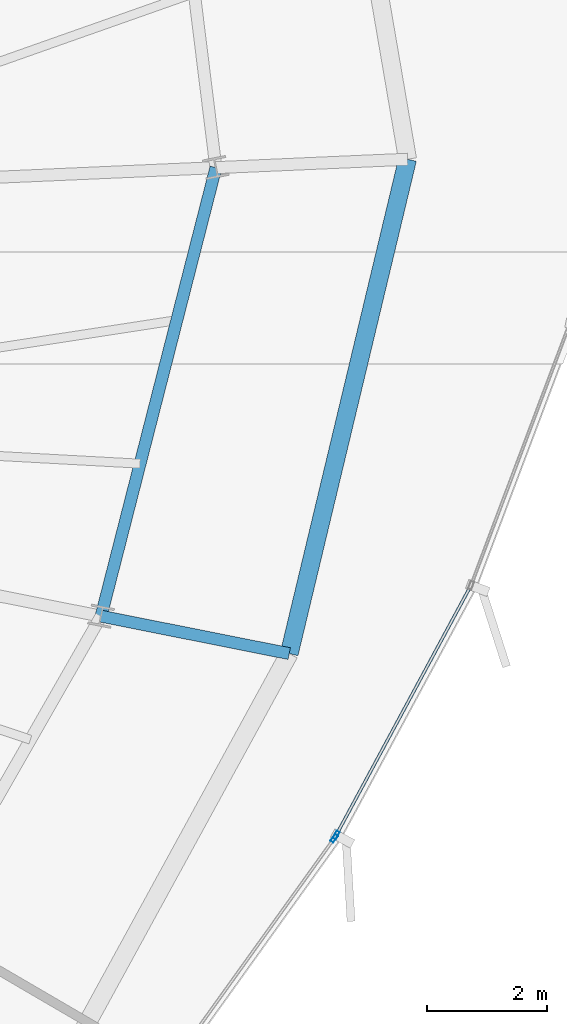
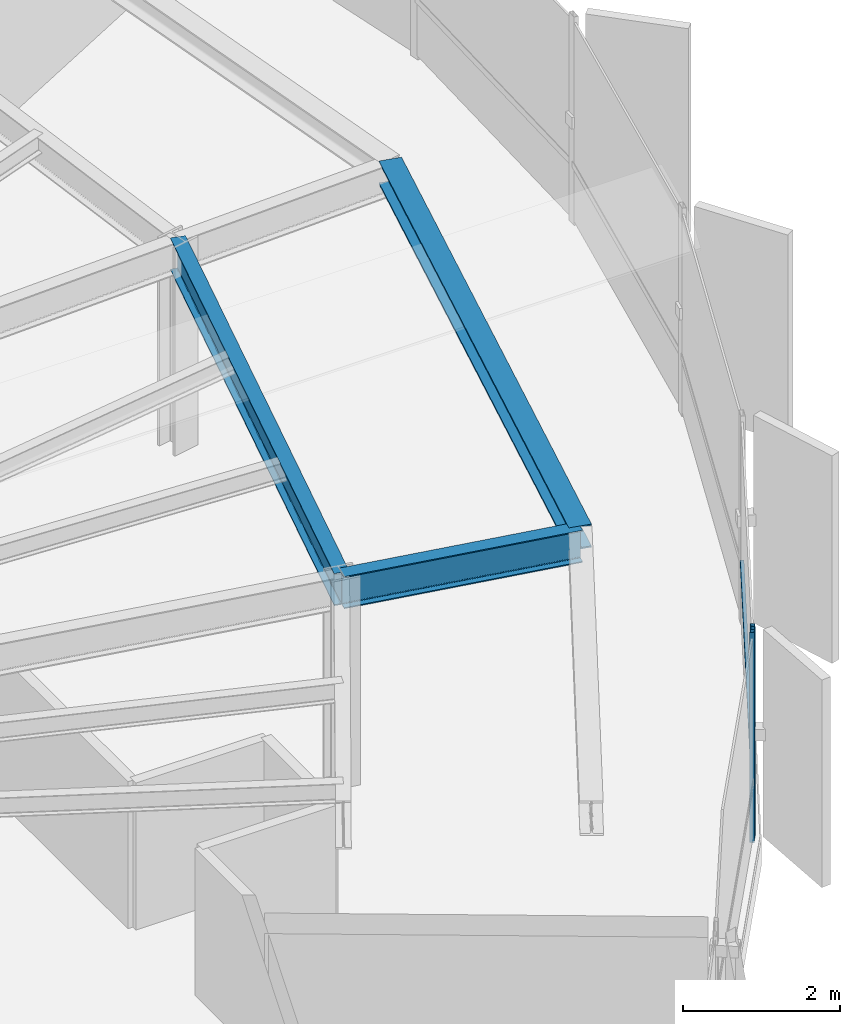
# One storey, part 17 of 36: 3 beams, 3 members, 2 elements without a shape of their own.
"""IFC4 building model written with IfcOpenShell, lengths in metres."""

from ifc_helpers import new_model, si_unit, direction, frame, origin, origin_2d, place, context, subcontext, project, spatial, hollow_rectangle, i_section, extrude, source, transform, mapped, material, layer, layer_set, material_profile, profile_set, type_object, element, aggregate, save


model = new_model("IFC4")

# Units and contexts
model_context = context("Model", 3, precision=1e-05, world=origin(), true_north=direction((0.0, 1.0)))
body_context = subcontext(model_context, "Body", "Model", "MODEL_VIEW")
ifc_project = project(units=[si_unit("LENGTHUNIT", "METRE"), si_unit("AREAUNIT", "SQUARE_METRE"), si_unit("VOLUMEUNIT", "CUBIC_METRE"), si_unit("PLANEANGLEUNIT", "RADIAN"), si_unit("MASSUNIT", "GRAM", prefix="KILO"), si_unit("THERMODYNAMICTEMPERATUREUNIT", "KELVIN")], contexts=[model_context])

# Site, building, storey
site_placement = place(None, origin())
site = spatial("IfcSite", under=ifc_project, at=site_placement, CompositionType="ELEMENT")
building_placement = place(site_placement, origin())
building = spatial("IfcBuilding", under=site, at=building_placement, Name="Kethvar Cultural Tower", CompositionType="ELEMENT")
storey_placement = place(building_placement, frame((0.0, 0.0, 176.39990234375)))
storey = spatial("IfcBuildingStorey", under=building, at=storey_placement, Name="L45", CompositionType="ELEMENT", Elevation=176.39990234375)

# Beams
ifc_material_1 = material(Name="Steel S355J2", Category="steel")
ifc_material_profile_1 = material_profile(ifc_material_1, i_section(OverallWidth=0.199951171875, OverallDepth=0.5, WebThickness=0.01025390625, FlangeThickness=0.01611328125, FilletRadius=0.02099609375, at=origin_2d()), Name="Steel S355J2 — IPE500")
ifc_profile_set_1 = profile_set([ifc_material_profile_1], Name="Steel S355J2 — IPE500")
beam_type_1 = type_object("IfcBeamType", Name="BM-IPE500", PredefinedType="BEAM", material=ifc_profile_set_1)
shared_shape_1 = source(origin(), body_context, "Body", "SweptSolid", [
    extrude(i_section(OverallWidth=0.199951171875, OverallDepth=0.5, WebThickness=0.01025390625, FlangeThickness=0.01611328125, FilletRadius=0.02099609375, at=origin_2d()), origin(), (0.0, 0.0, 1.0), 3.199951171875),
])
beam_1_placement = place(storey_placement, frame((64.648681640625, 24.249755859375, 3.008056640625), z_axis=(0.980785550224, -0.195088965533, 0.0), x_axis=(0.195088965533, 0.980785550224, 0.0)))
element("IfcBeam", 1, at=beam_1_placement, inside=storey, type_object=beam_type_1, Name="L45 Perimeter Cantilever Beam RC-16", PredefinedType="BEAM", context=body_context, shape_type="MappedRepresentation", body=[
    mapped(shared_shape_1, transform((0.0, 0.0, 0.0), scale=1.0)),
])
shared_shape_2 = source(origin(), body_context, "Body", "SweptSolid", [
    extrude(i_section(OverallWidth=0.199951171875, OverallDepth=0.5, WebThickness=0.01025390625, FlangeThickness=0.01611328125, FilletRadius=0.02099609375, at=origin_2d()), origin(), (0.0, 0.0, 1.0), 7.72265625),
])
beam_2_placement = place(storey_placement, frame((64.648681640625, 24.249755859375, 3.008056640625), z_axis=(0.248006445258, 0.968758382214, 0.0), x_axis=(-0.968758382214, 0.248006445258, 0.0)))
element("IfcBeam", 2, at=beam_2_placement, inside=storey, type_object=beam_type_1, Name="L45 Column Ring Tie Beam CR-16", PredefinedType="BEAM", context=body_context, shape_type="MappedRepresentation", body=[
    mapped(shared_shape_2, transform((0.0, 0.0, 0.0), scale=1.0)),
])
ifc_material_profile_2 = material_profile(ifc_material_1, i_section(OverallWidth=0.300048828125, OverallDepth=0.360107421875, WebThickness=0.012451171875, FlangeThickness=0.0224609375, FilletRadius=0.027099609375, at=origin_2d()), Name="Steel S355J2 — HEB360")
ifc_profile_set_2 = profile_set([ifc_material_profile_2], Name="Steel S355J2 — HEB360")
beam_type_2 = type_object("IfcBeamType", Name="BM-SP360", PredefinedType="SPANDREL", material=ifc_profile_set_2)
shared_shape_3 = source(origin(), body_context, "Body", "SweptSolid", [
    extrude(i_section(OverallWidth=0.300048828125, OverallDepth=0.360107421875, WebThickness=0.012451171875, FlangeThickness=0.0224609375, FilletRadius=0.027099609375, at=origin_2d()), origin(), (0.0, 0.0, 1.0), 8.47900390625),
])
beam_3_placement = place(storey_placement, frame((67.787109375, 23.62548828125, 3.078125), z_axis=(0.232794647368, 0.97252591336, 0.0), x_axis=(-0.97252591336, 0.232794647368, 0.0)))
element("IfcBeam", 3, at=beam_3_placement, inside=storey, type_object=beam_type_2, Name="L45 Perimeter Spandrel Beam SP-16", PredefinedType="SPANDREL", context=body_context, shape_type="MappedRepresentation", body=[
    mapped(shared_shape_3, transform((0.0, 0.0, 0.0), scale=1.0)),
])

# Curtain wall, member
ifc_material_2 = material(Name="Aluminium 6063-T6", Category="aluminium")
ifc_layer = layer(ifc_material_2, 0.179931640625, Name="Aluminium 6063-T6", Category="aluminium")
ifc_layer_set = layer_set([ifc_layer], Name="Aluminium 6063-T6 (180 mm)")
curtain_wall_type = type_object("IfcCurtainWallType", Name="CW-SYS-04-Z34", PredefinedType="NOTDEFINED", material=ifc_layer_set)
curtain_wall_1_placement = place(storey_placement, origin())
curtain_wall_1 = element("IfcCurtainWall", 4, at=curtain_wall_1_placement, inside=storey, type_object=curtain_wall_type, Name="L45 Curtain Wall Run 05", PredefinedType="NOTDEFINED")
ifc_material_profile_3 = material_profile(ifc_material_2, hollow_rectangle(XDim=0.06005859375, YDim=0.139892578125, WallThickness=0.0048828125, at=origin_2d()), Name="Aluminium 6063-T6 — RHS140x60x5")
ifc_profile_set_3 = profile_set([ifc_material_profile_3], Name="Aluminium 6063-T6 — RHS140x60x5")
member_type_1 = type_object("IfcMemberType", Name="CW-SYS-04-Z34-MUL", PredefinedType="MULLION", material=ifc_profile_set_3)
shared_shape_4 = source(origin(), body_context, "Body", "SweptSolid", [
    extrude(hollow_rectangle(XDim=0.06005859375, YDim=0.139892578125, WallThickness=0.0048828125, at=origin_2d()), origin(), (0.0, 0.0, 1.0), 3.260009765625),
])
member_1_placement = place(storey_placement, frame((68.53662109375, 20.54345703125, 0.0), z_axis=(0.0, 0.0, 1.0), x_axis=(-0.812592453382, 0.582832312683, 0.0)))
member_1 = element("IfcMember", 5, at=member_1_placement, type_object=member_type_1, Name="CW-L45-R05 Mullion 7", PredefinedType="MULLION", context=body_context, shape_type="MappedRepresentation", body=[
    mapped(shared_shape_4, transform((0.0, 0.0, 0.0), scale=1.0)),
])
aggregate(curtain_wall_1, [member_1])

# Curtain wall, members
curtain_wall_2_placement = place(storey_placement, origin())
curtain_wall_2 = element("IfcCurtainWall", 6, at=curtain_wall_2_placement, inside=storey, type_object=curtain_wall_type, Name="L45 Curtain Wall Run 06", PredefinedType="NOTDEFINED")
member_2_placement = place(storey_placement, frame((68.5703125, 20.59765625, 0.0), z_axis=(0.0, 0.0, 1.0), x_axis=(-0.879988697167, 0.474994624031, 0.0)))
member_2 = element("IfcMember", 7, at=member_2_placement, type_object=member_type_1, Name="CW-L45-R06 Mullion 1", PredefinedType="MULLION", context=body_context, shape_type="MappedRepresentation", body=[
    mapped(shared_shape_4, transform((0.0, 0.0, 0.0), scale=1.0)),
])
ifc_material_profile_4 = material_profile(ifc_material_2, hollow_rectangle(XDim=0.050048828125, YDim=0.10009765625, WallThickness=0.00390625, at=origin_2d()), Name="Aluminium 6063-T6 — RHS100x50x4")
ifc_profile_set_4 = profile_set([ifc_material_profile_4], Name="Aluminium 6063-T6 — RHS100x50x4")
member_type_2 = type_object("IfcMemberType", Name="CW-SYS-04-Z34-TRN", PredefinedType="USERDEFINED", material=ifc_profile_set_4)
shared_shape_5 = source(origin(), body_context, "Body", "SweptSolid", [
    extrude(hollow_rectangle(XDim=0.050048828125, YDim=0.10009765625, WallThickness=0.00390625, at=origin_2d()), origin(), (0.0, 0.0, 1.0), 4.700439453125),
])
member_3_placement = place(storey_placement, frame((68.572509765625, 20.601318359375, 0.9501953125), z_axis=(0.475000918644, 0.879985299472, 0.0), x_axis=(-0.879985299472, 0.475000918644, 0.0)))
member_3 = element("IfcMember", 8, at=member_3_placement, type_object=member_type_2, Name="CW-L45-R06 Transom 1", ObjectType="TRANSOM", PredefinedType="USERDEFINED", context=body_context, shape_type="MappedRepresentation", body=[
    mapped(shared_shape_5, transform((0.0, 0.0, 0.0), scale=1.0)),
])
aggregate(curtain_wall_2, [member_2, member_3])

save(model, "model.ifc")
